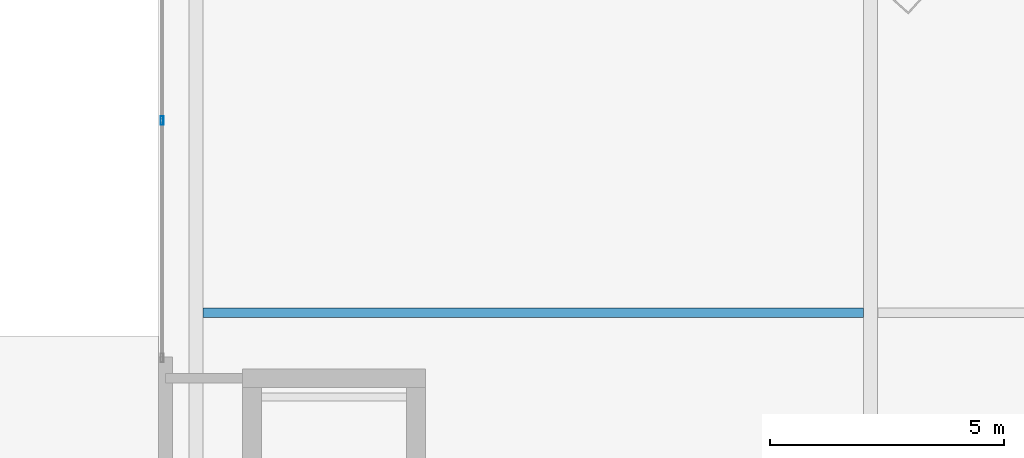
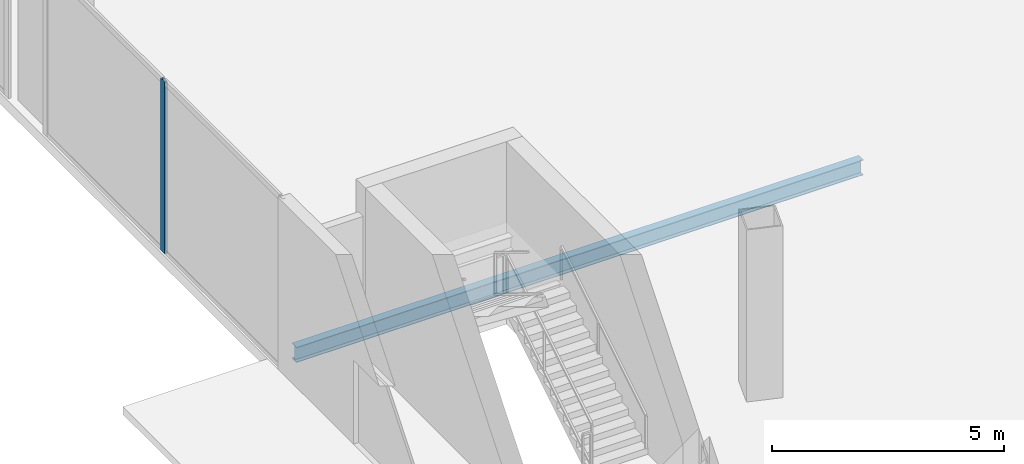
# One storey, part 14 of 58: 1 beam, 1 member, 1 element without a shape of its own.
"""IFC4 building model written with IfcOpenShell, lengths in metres."""

from ifc_helpers import new_model, si_unit, direction, frame, origin, origin_2d, place, context, subcontext, project, spatial, hollow_rectangle, i_section, extrude, source, transform, mapped, material, layer, layer_set, material_profile, profile_set, type_object, element, aggregate, save


model = new_model("IFC4")

# Units and contexts
model_context = context("Model", 3, precision=1e-05, world=origin(), true_north=direction((0.0, 1.0)))
body_context = subcontext(model_context, "Body", "Model", "MODEL_VIEW")
ifc_project = project(units=[si_unit("LENGTHUNIT", "METRE"), si_unit("AREAUNIT", "SQUARE_METRE"), si_unit("VOLUMEUNIT", "CUBIC_METRE"), si_unit("PLANEANGLEUNIT", "RADIAN"), si_unit("MASSUNIT", "GRAM", prefix="KILO"), si_unit("THERMODYNAMICTEMPERATUREUNIT", "KELVIN"), si_unit("POWERUNIT", "WATT")], contexts=[model_context])

# Site, building, storey
site_placement = place(None, origin())
site = spatial("IfcSite", under=ifc_project, at=site_placement, CompositionType="ELEMENT")
building_placement = place(site_placement, origin())
building = spatial("IfcBuilding", under=site, at=building_placement, Name="Yunzhuo Pagoda Commons", CompositionType="ELEMENT")
storey_placement = place(building_placement, origin())
storey = spatial("IfcBuildingStorey", under=building, at=storey_placement, Name="L01", CompositionType="ELEMENT", Elevation=0.0)

# Beam
ifc_material_1 = material(Name="Structural steel Q355B", Category="steel")
ifc_material_profile_1 = material_profile(ifc_material_1, i_section(OverallWidth=0.199951171875, OverallDepth=0.39990234375, WebThickness=0.008056640625, FlangeThickness=0.012939453125, at=origin_2d()), Name="Structural steel Q355B")
ifc_profile_set_1 = profile_set([ifc_material_profile_1], Name="Structural steel Q355B")
beam_type = type_object("IfcBeamType", Name="B-JS1 Joist HN 400x200x8x13", PredefinedType="JOIST", material=ifc_profile_set_1)
shared_shape_1 = source(origin(), body_context, "Body", "SweptSolid", [
    extrude(i_section(OverallWidth=0.199951171875, OverallDepth=0.39990234375, WebThickness=0.008056640625, FlangeThickness=0.012939453125, at=origin_2d()), origin(), (0.0, 0.0, 1.0), 14.08984375),
])
beam_placement = place(storey_placement, frame((4.955078125, 52.0, -0.479736328125), z_axis=(1.0, 0.0, 0.0), x_axis=(0.0, 1.0, 0.0)))
element("IfcBeam", 1, at=beam_placement, inside=storey, type_object=beam_type, Name="L01 podium composite joist 1.3", PredefinedType="JOIST", context=body_context, shape_type="MappedRepresentation", body=[
    mapped(shared_shape_1, transform((0.0, 0.0, 0.0), scale=1.0)),
])

# Curtain wall, member
ifc_material_2 = material(Name="Anodized aluminium 6063-T6", Category="aluminium")
ifc_layer = layer(ifc_material_2, 0.179931640625)
ifc_layer_set = layer_set([ifc_layer], Name="Anodized aluminium 6063-T6")
curtain_wall_type = type_object("IfcCurtainWallType", Name="CW-POD Waterfront Podium Curtain Wall", PredefinedType="NOTDEFINED", material=ifc_layer_set)
curtain_wall_placement = place(storey_placement, origin())
curtain_wall = element("IfcCurtainWall", 2, at=curtain_wall_placement, inside=storey, type_object=curtain_wall_type, Name="L01 curtain wall CW-L01-W3", PredefinedType="NOTDEFINED")
ifc_material_profile_2 = material_profile(ifc_material_2, hollow_rectangle(XDim=0.06494140625, YDim=0.179931640625, WallThickness=0.00390625, at=origin_2d()), Name="Anodized aluminium 6063-T6")
ifc_profile_set_2 = profile_set([ifc_material_profile_2], Name="Anodized aluminium 6063-T6")
member_type = type_object("IfcMemberType", Name="CW-POD-M Mullion RHS 180x65x4", PredefinedType="MULLION", material=ifc_profile_set_2)
shared_shape_2 = source(origin(), body_context, "Body", "SweptSolid", [
    extrude(hollow_rectangle(XDim=0.06494140625, YDim=0.179931640625, WallThickness=0.00390625, at=origin_2d()), origin(), (0.0, 0.0, 1.0), 4.520263671875),
])
member_placement = place(storey_placement, frame((4.080078125, 56.10009765625, 0.0), z_axis=(0.0, 0.0, 1.0), x_axis=(-1.0, 0.0, 0.0)))
member = element("IfcMember", 3, at=member_placement, type_object=member_type, Name="CW mullion 2", PredefinedType="MULLION", context=body_context, shape_type="MappedRepresentation", body=[
    mapped(shared_shape_2, transform((0.0, 0.0, 0.0), scale=1.0)),
])
aggregate(curtain_wall, [member])

save(model, "model.ifc")
